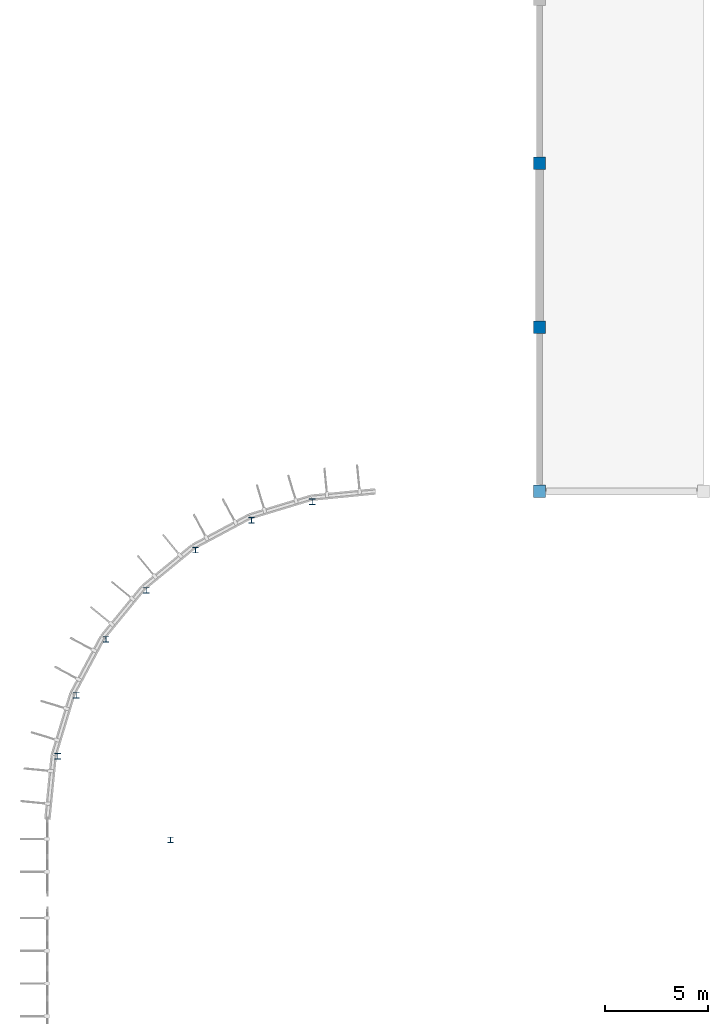
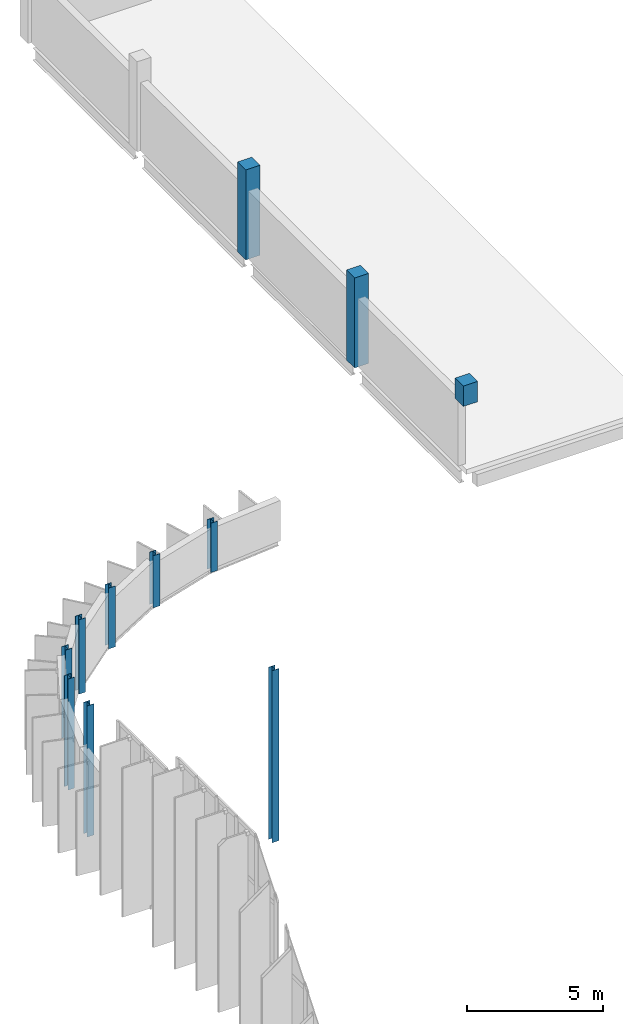
# One storey, part 2 of 38: 11 columns.
"""IFC4 building model written with IfcOpenShell, lengths in metres."""

import ifcopenshell
import ifcopenshell.guid

model = None  # the IFC model being written
_history = None  # IfcOwnerHistory: only IFC2X3 demands one
_inside = {}  # id of a spatial element -> (the spatial element, [elements in it])
_under = {}  # id of a project, library or spatial element -> (it, [spatial elements below it])
_declared = {}  # id of a project -> (the project, [libraries it declares])
_typed = {}  # id of a type object -> (the type object, [elements of that type])
_made_of = {}  # id of a material, layer set ... -> (it, [elements and type objects made of it])


def new_model(schema):
    """Start an empty IFC model of exactly this schema.

    Asked for "IFC4X3", IfcOpenShell would pick the latest addendum, in which some entities
    have other attributes; the version numbers below select the first issue.
    IFC2X3 requires an IfcOwnerHistory on every rooted entity: one is made here for all.
    """
    global model, _history
    if schema == "IFC4X3":
        model = ifcopenshell.file(schema_version=(4, 3, 0, 0))
    else:
        model = ifcopenshell.file(schema=schema)
    _inside.clear()
    _under.clear()
    _declared.clear()
    _typed.clear()
    _made_of.clear()
    _history = None
    if model.schema == "IFC2X3":
        org = make("IfcOrganization", Name="unknown")
        user = make(
            "IfcPersonAndOrganization",
            ThePerson=make("IfcPerson", FamilyName="unknown"),
            TheOrganization=org,
        )
        app = make(
            "IfcApplication",
            ApplicationDeveloper=org,
            Version="unknown",
            ApplicationFullName="unknown",
            ApplicationIdentifier="unknown",
        )
        _history = make(
            "IfcOwnerHistory",
            OwningUser=user,
            OwningApplication=app,
            ChangeAction="ADDED",
            CreationDate=0,
        )
    return model


def make(cls, **values):
    """One entity of the class cls with the attributes given. An attribute that is None is left unset."""
    return model.create_entity(
        cls, **{name: value for name, value in values.items() if value is not None}
    )


def rooted(cls, **values):
    """An entity with a GlobalId (a new one), such as an element, a storey or a relation."""
    return make(cls, GlobalId=ifcopenshell.guid.new(), OwnerHistory=_history, **values)


def si_unit(unit_type, name, prefix=None):
    """IfcSIUnit, for example si_unit("LENGTHUNIT", "METRE", prefix="MILLI")."""
    return make("IfcSIUnit", UnitType=unit_type, Prefix=prefix, Name=name)


def assignment(units):
    """IfcUnitAssignment: the units of a project."""
    return None if units is None else make("IfcUnitAssignment", Units=units)


def point(xyz):
    """IfcCartesianPoint."""
    return None if xyz is None else make("IfcCartesianPoint", Coordinates=xyz)


def direction(xyz):
    """IfcDirection."""
    return None if xyz is None else make("IfcDirection", DirectionRatios=xyz)


def frame(location, z_axis=None, x_axis=None):
    """IfcAxis2Placement3D, a coordinate frame: its origin and axes. An axis left out is left unset."""
    return make(
        "IfcAxis2Placement3D",
        Location=point(location),
        Axis=direction(z_axis),
        RefDirection=direction(x_axis),
    )


def frame_2d(location, x_axis=None):
    """IfcAxis2Placement2D, a coordinate frame in the plane: its origin and x axis."""
    return make(
        "IfcAxis2Placement2D", Location=point(location), RefDirection=direction(x_axis)
    )


def origin():
    """The frame at (0, 0, 0) with its axes left unset."""
    return frame((0.0, 0.0, 0.0))


def origin_2d():
    """The frame at (0, 0) in the plane with its x axis left unset."""
    return frame_2d((0.0, 0.0))


def place(relative_to, where):
    """IfcLocalPlacement: puts the frame where relative to a parent placement (None: the world)."""
    return make(
        "IfcLocalPlacement", PlacementRelTo=relative_to, RelativePlacement=where
    )


def context(
    kind, dimensions, precision=None, world=None, true_north=None, identifier=None
):
    """IfcGeometricRepresentationContext, for example the 3D "Model" context."""
    return make(
        "IfcGeometricRepresentationContext",
        ContextIdentifier=identifier,
        ContextType=kind,
        CoordinateSpaceDimension=dimensions,
        Precision=precision,
        WorldCoordinateSystem=world,
        TrueNorth=true_north,
    )


def subcontext(parent, identifier, kind, view, scale=None):
    """IfcGeometricRepresentationSubContext, for example "Body" below "Model"."""
    return make(
        "IfcGeometricRepresentationSubContext",
        ContextIdentifier=identifier,
        ContextType=kind,
        ParentContext=parent,
        TargetScale=scale,
        TargetView=view,
    )


def project(units=None, contexts=None):
    """IfcProject with its units and contexts."""
    return rooted(
        "IfcProject",
        Name="project",
        RepresentationContexts=contexts,
        UnitsInContext=assignment(units),
    )


def spatial(cls, under=None, at=None, **own):
    """A site, building, storey or space (cls), placed at a placement, below another one or the project."""
    s = rooted(cls, ObjectPlacement=at, **own)
    if under is not None:
        _under.setdefault(under.id(), (under, []))[1].append(s)
    return s


def profile(cls, at=None, kind="AREA", **sizes):
    """A parametric profile (cls). Its sizes go by their IFC names, for example OverallWidth=200.0."""
    return make(cls, ProfileType=kind, Position=at, **sizes)


def rectangle(**sizes):
    """IfcRectangleProfileDef."""
    return profile("IfcRectangleProfileDef", **sizes)


def i_section(**sizes):
    """IfcIShapeProfileDef."""
    return profile("IfcIShapeProfileDef", **sizes)


def extrude(swept, where, along, depth):
    """IfcExtrudedAreaSolid: the profile swept, set in the frame where, extruded along a direction by depth."""
    return make(
        "IfcExtrudedAreaSolid",
        SweptArea=swept,
        Position=where,
        ExtrudedDirection=direction(along),
        Depth=depth,
    )


def shape(context_of_items, identifier, shape_type, items):
    """IfcShapeRepresentation: the items that make up one representation, for example the "Body"."""
    return make(
        "IfcShapeRepresentation",
        ContextOfItems=context_of_items,
        RepresentationIdentifier=identifier,
        RepresentationType=shape_type,
        Items=items,
    )


def material(Name=None, Category=None):
    """IfcMaterial."""
    return make("IfcMaterial", Name=Name, Category=Category)


def material_profile(
    of_material, cross_section, Name=None, Category=None, Priority=None
):
    """IfcMaterialProfile: a cross section and its material."""
    return make(
        "IfcMaterialProfile",
        Name=Name,
        Material=of_material,
        Profile=cross_section,
        Priority=Priority,
        Category=Category,
    )


def profile_set(profiles, Name=None, composite=None):
    """IfcMaterialProfileSet."""
    return make(
        "IfcMaterialProfileSet",
        Name=Name,
        MaterialProfiles=profiles,
        CompositeProfile=composite,
    )


def made_of(thing, what):
    """Note that an element or type object is made of a material, layer set ...; save() writes the relation."""
    if what is not None:
        _made_of.setdefault(what.id(), (what, []))[1].append(thing)
    return thing


def type_object(cls, material=None, **own):
    """A type object (cls), such as IfcWallType, which elements share."""
    return made_of(rooted(cls, **own), material)


def element(
    cls,
    number,
    at=None,
    inside=None,
    cuts=None,
    type_object=None,
    material=None,
    context=None,
    identifier="Body",
    shape_type=None,
    held_by="IfcProductDefinitionShape",
    body=None,
    shapes=None,
    **own,
):
    """One element of the class cls, such as IfcWall. Its Tag is "e" and its number.

    at: its placement. inside: the storey or other place that contains it. cuts: it is an
    opening in that element (IfcRelVoidsElement). A single representation is given by context,
    identifier, shape_type and body (its items); several are given by shapes. held_by: the class
    of the entity that holds the representations. save() writes the other relations.
    """
    e = rooted(cls, Tag="e%d" % number, ObjectPlacement=at, **own)
    if body is not None:
        shapes = [shape(context, identifier, shape_type, body)]
    if shapes is not None:
        e.Representation = make(held_by, Representations=shapes)
    if inside is not None:
        _inside.setdefault(inside.id(), (inside, []))[1].append(e)
    if cuts is not None:
        rooted(
            "IfcRelVoidsElement", RelatingBuildingElement=cuts, RelatedOpeningElement=e
        )
    if type_object is not None:
        _typed.setdefault(type_object.id(), (type_object, []))[1].append(e)
    return made_of(e, material)


def aggregate(whole, parts):
    """IfcRelAggregates: a whole, such as a stair, and the parts it consists of."""
    return rooted("IfcRelAggregates", RelatingObject=whole, RelatedObjects=parts)


def save(model, path):
    """Write the relations noted so far, then the file.

    IfcRelAggregates (storeys below a building ...), IfcRelContainedInSpatialStructure (elements
    in a storey), IfcRelDefinesByType, IfcRelAssociatesMaterial and IfcRelDeclares: one each for
    every whole, place, type object, material and project.
    """
    for whole, parts in _under.values():
        aggregate(whole, parts)
    for where, things in _inside.values():
        rooted(
            "IfcRelContainedInSpatialStructure",
            RelatedElements=things,
            RelatingStructure=where,
        )
    for kind, things in _typed.values():
        rooted("IfcRelDefinesByType", RelatedObjects=things, RelatingType=kind)
    for what, things in _made_of.values():
        rooted("IfcRelAssociatesMaterial", RelatedObjects=things, RelatingMaterial=what)
    for by, libraries in _declared.values():
        rooted("IfcRelDeclares", RelatingContext=by, RelatedDefinitions=libraries)
    model.write(path)


model = new_model("IFC4")

# Units and contexts
model_context = context("Model", 3, precision=1e-05, world=origin(), true_north=direction((0.0, 1.0)))
body_context = subcontext(model_context, "Body", "Model", "MODEL_VIEW")
ifc_project = project(units=[si_unit("LENGTHUNIT", "METRE"), si_unit("AREAUNIT", "SQUARE_METRE"), si_unit("VOLUMEUNIT", "CUBIC_METRE"), si_unit("PLANEANGLEUNIT", "RADIAN"), si_unit("MASSUNIT", "GRAM", prefix="KILO")], contexts=[model_context])

# Site, building, storey
site_placement = place(None, origin())
site = spatial("IfcSite", under=ifc_project, at=site_placement, CompositionType="ELEMENT")
building_placement = place(site_placement, origin())
building = spatial("IfcBuilding", under=site, at=building_placement, Name="Drelvana Railside Aquatics Centre", CompositionType="ELEMENT")
storey_placement = place(building_placement, frame((0.0, 0.0, 14.39990234375)))
storey = spatial("IfcBuildingStorey", under=building, at=storey_placement, Name="L03", CompositionType="ELEMENT", Elevation=14.39990234375)

# Columns
ifc_material_1 = material(Name="Concrete C40/50", Category="concrete")
ifc_material_profile_1 = material_profile(ifc_material_1, rectangle(XDim=0.60009765625, YDim=0.60009765625, at=origin_2d()), Name="RC 600x600")
ifc_profile_set_1 = profile_set([ifc_material_profile_1], Name="Concrete C40/50")
column_type_1 = type_object("IfcColumnType", Name="STR-COL-RC-600x600", PredefinedType="COLUMN", material=ifc_profile_set_1)
for number, where, z_axis, x_axis, name in (
    (1, (24.0, 92.0, 0.0), (0.0, 0.0, 1.0), (1.0, 0.0, 0.0), "Column C-04 (L03)"),
    (2, (24.0, 100.0, 0.0), (0.0, 0.0, 1.0), (1.0, 0.0, 0.0), "Column C-04 (L03)"),
):
    element("IfcColumn", number, at=place(storey_placement, frame(where, z_axis=z_axis, x_axis=x_axis)), inside=storey, type_object=column_type_1, Name=name, PredefinedType="COLUMN", context=body_context, shape_type="SweptSolid", body=[
        extrude(rectangle(XDim=0.60009765625, YDim=0.60009765625, at=origin_2d()), origin(), (0.0, 0.0, 1.0), 4.0400390625),
    ])
column_1_placement = place(storey_placement, frame((24.0, 84.0, 3.125), z_axis=(0.0, 0.0, 1.0), x_axis=(1.0, 0.0, 0.0)))
element("IfcColumn", 3, at=column_1_placement, inside=storey, type_object=column_type_1, Name="Diving Hall south vault pier 24", PredefinedType="COLUMN", context=body_context, shape_type="SweptSolid", body=[
    extrude(rectangle(XDim=0.60009765625, YDim=0.60009765625, at=origin_2d()), origin(), (0.0, 0.0, 1.0), 0.9150390625),
])
ifc_material_2 = material(Name="Structural steel S355", Category="steel")
ifc_material_profile_2 = material_profile(ifc_material_2, i_section(OverallWidth=0.280029296875, OverallDepth=0.280029296875, WebThickness=0.010498046875, FlangeThickness=0.01806640625, at=origin_2d()), Name="HEB 280")
ifc_profile_set_2 = profile_set([ifc_material_profile_2], Name="Structural steel S355")
column_type_2 = type_object("IfcColumnType", Name="STR-SCOL-HEB-280", PredefinedType="COLUMN", material=ifc_profile_set_2)
column_2_placement = place(storey_placement, frame((12.91748046875, 83.496337890625, -0.2998046875), z_axis=(0.0, 0.0, 1.0), x_axis=(1.0, 0.0, 0.0)))
element("IfcColumn", 4, at=column_2_placement, inside=storey, type_object=column_type_2, Name="V1NW curved chord column 1 (L03)", PredefinedType="COLUMN", context=body_context, shape_type="SweptSolid", body=[
    extrude(i_section(OverallWidth=0.280029296875, OverallDepth=0.280029296875, WebThickness=0.010498046875, FlangeThickness=0.01806640625, at=origin_2d()), origin(), (0.0, 0.0, 1.0), 2.216552734375),
])
column_3_placement = place(storey_placement, frame((9.95361328125, 82.597412109375, -0.2998046875), z_axis=(0.0, 0.0, 1.0), x_axis=(1.0, 0.0, 0.0)))
element("IfcColumn", 5, at=column_3_placement, inside=storey, type_object=column_type_2, Name="V1NW curved chord column 2 (L03)", PredefinedType="COLUMN", context=body_context, shape_type="SweptSolid", body=[
    extrude(i_section(OverallWidth=0.280029296875, OverallDepth=0.280029296875, WebThickness=0.010498046875, FlangeThickness=0.01806640625, at=origin_2d()), origin(), (0.0, 0.0, 1.0), 2.34033203125),
])
column_4_placement = place(storey_placement, frame((7.221923828125, 81.13720703125, -0.2998046875), z_axis=(0.0, 0.0, 1.0), x_axis=(1.0, 0.0, 0.0)))
element("IfcColumn", 6, at=column_4_placement, inside=storey, type_object=column_type_2, Name="V1NW curved chord column 3 (L03)", PredefinedType="COLUMN", context=body_context, shape_type="SweptSolid", body=[
    extrude(i_section(OverallWidth=0.280029296875, OverallDepth=0.280029296875, WebThickness=0.010498046875, FlangeThickness=0.01806640625, at=origin_2d()), origin(), (0.0, 0.0, 1.0), 2.728515625),
])
column_5_placement = place(storey_placement, frame((4.82763671875, 79.17236328125, -0.2998046875), z_axis=(0.0, 0.0, 1.0), x_axis=(1.0, 0.0, 0.0)))
element("IfcColumn", 7, at=column_5_placement, inside=storey, type_object=column_type_2, Name="V1NW curved chord column 4 (L03)", PredefinedType="COLUMN", context=body_context, shape_type="SweptSolid", body=[
    extrude(i_section(OverallWidth=0.280029296875, OverallDepth=0.280029296875, WebThickness=0.010498046875, FlangeThickness=0.01806640625, at=origin_2d()), origin(), (0.0, 0.0, 1.0), 3.3369140625),
])
column_6_placement = place(storey_placement, frame((2.86279296875, 76.778076171875, -0.2998046875), z_axis=(0.0, 0.0, 1.0), x_axis=(1.0, 0.0, 0.0)))
element("IfcColumn", 8, at=column_6_placement, inside=storey, type_object=column_type_2, Name="V1NW curved chord column 5 (L03)", PredefinedType="COLUMN", context=body_context, shape_type="SweptSolid", body=[
    extrude(i_section(OverallWidth=0.280029296875, OverallDepth=0.280029296875, WebThickness=0.010498046875, FlangeThickness=0.01806640625, at=origin_2d()), origin(), (0.0, 0.0, 1.0), 4.10888671875),
])
column_7_placement = place(storey_placement, frame((1.402587890625, 74.04638671875, -0.2998046875), z_axis=(0.0, 0.0, 1.0), x_axis=(1.0, 0.0, 0.0)))
element("IfcColumn", 9, at=column_7_placement, inside=storey, type_object=column_type_2, Name="V1NW curved chord column 6 (L03)", PredefinedType="COLUMN", context=body_context, shape_type="SweptSolid", body=[
    extrude(i_section(OverallWidth=0.280029296875, OverallDepth=0.280029296875, WebThickness=0.010498046875, FlangeThickness=0.01806640625, at=origin_2d()), origin(), (0.0, 0.0, 1.0), 4.98046875),
])
column_8_placement = place(storey_placement, frame((0.503662109375, 71.08251953125, -0.2998046875), z_axis=(0.0, 0.0, 1.0), x_axis=(1.0, 0.0, 0.0)))
element("IfcColumn", 10, at=column_8_placement, inside=storey, type_object=column_type_2, Name="V1NW curved chord column 7 (L03)", PredefinedType="COLUMN", context=body_context, shape_type="SweptSolid", body=[
    extrude(i_section(OverallWidth=0.280029296875, OverallDepth=0.280029296875, WebThickness=0.010498046875, FlangeThickness=0.01806640625, at=origin_2d()), origin(), (0.0, 0.0, 1.0), 5.8896484375),
])
column_9_placement = place(storey_placement, frame((6.0, 67.0, 0.0), z_axis=(0.0, 0.0, 1.0), x_axis=(1.0, 0.0, 0.0)))
element("IfcColumn", 11, at=column_9_placement, inside=storey, type_object=column_type_2, Name="Gridshell west end rafter column Y67 (L03)", PredefinedType="COLUMN", context=body_context, shape_type="SweptSolid", body=[
    extrude(i_section(OverallWidth=0.280029296875, OverallDepth=0.280029296875, WebThickness=0.010498046875, FlangeThickness=0.01806640625, at=origin_2d()), origin(), (0.0, 0.0, 1.0), 7.71875),
])

save(model, "model.ifc")
